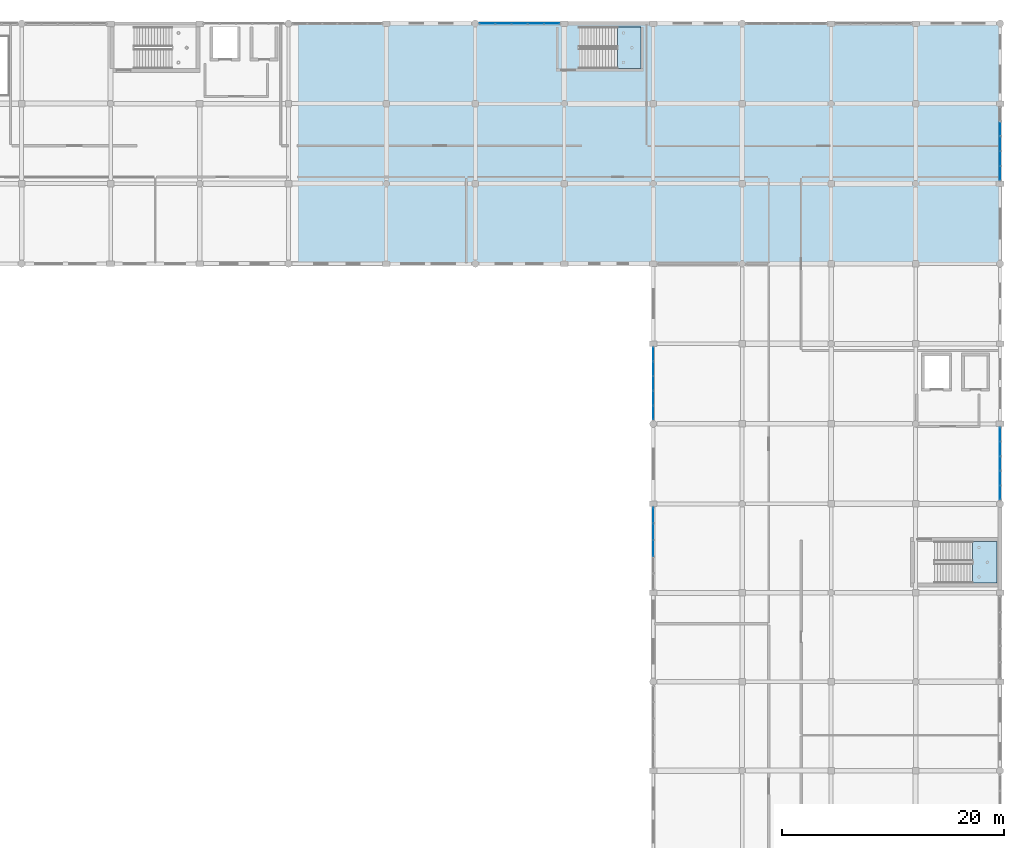
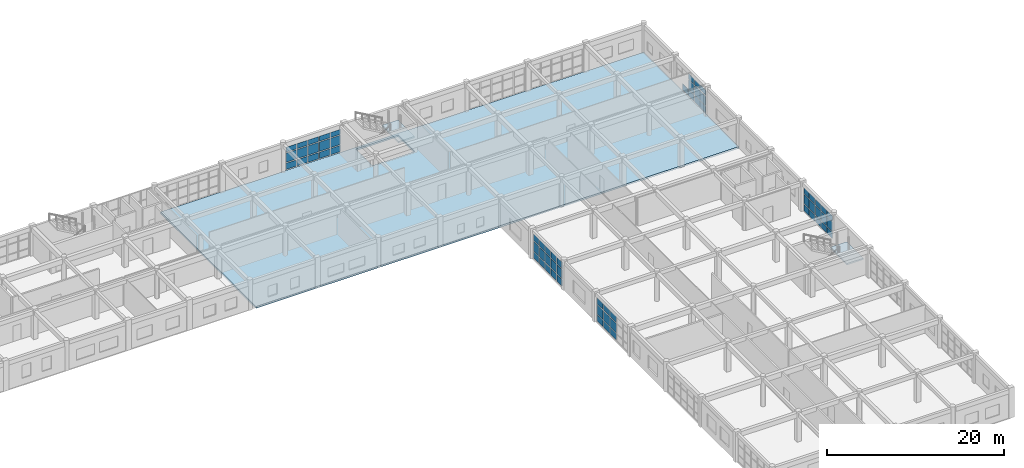
# One storey, part 38 of 53: 64 plates, 3 slabs, 7 elements without a shape of their own.
"""IFC4 building model written with IfcOpenShell, lengths in metres."""

from ifc_helpers import new_model, si_unit, direction, frame, origin, origin_2d, place, context, subcontext, project, spatial, polyline, rectangle, outline, extrude, material, layer, layer_set, type_object, element, aggregate, save


model = new_model("IFC4")

# Units and contexts
model_context = context("Model", 3, precision=1e-05, world=origin(), true_north=direction((0.0, 1.0)))
body_context = subcontext(model_context, "Body", "Model", "MODEL_VIEW")
ifc_project = project(units=[si_unit("LENGTHUNIT", "METRE"), si_unit("AREAUNIT", "SQUARE_METRE"), si_unit("VOLUMEUNIT", "CUBIC_METRE"), si_unit("PLANEANGLEUNIT", "RADIAN"), si_unit("MASSUNIT", "GRAM", prefix="KILO")], contexts=[model_context])

# Site, building, storey
site_placement = place(None, origin())
site = spatial("IfcSite", under=ifc_project, at=site_placement, CompositionType="ELEMENT")
building_placement = place(site_placement, origin())
building = spatial("IfcBuilding", under=site, at=building_placement, Name="Kharva Crest Polytechnic", CompositionType="ELEMENT")
storey_placement = place(building_placement, frame((0.0, 0.0, 17.39990234375)))
storey = spatial("IfcBuildingStorey", under=building, at=storey_placement, Name="L04", CompositionType="ELEMENT", Elevation=17.39990234375)

# Curtain wall, plates
ifc_material_1 = material(Name="Tempered insulated glass", Category="glass")
curtain_wall_type = type_object("IfcCurtainWallType", Name="CW-SYS-STUDIO", PredefinedType="USERDEFINED", material=ifc_material_1)
curtain_wall_1_placement = place(storey_placement, origin())
curtain_wall_1 = element("IfcCurtainWall", 1, at=curtain_wall_1_placement, inside=storey, type_object=curtain_wall_type, Name="L04 Glazed Curtain Wall CW-172", ObjectType="CURTAIN WALL", PredefinedType="USERDEFINED")
ifc_layer_1 = layer(ifc_material_1, 0.02587890625, Name="Tempered insulated glass")
ifc_layer_set_1 = layer_set([ifc_layer_1], Name="Tempered insulated glass")
plate_type = type_object("IfcPlateType", Name="CWP-GLZ-26", PredefinedType="CURTAIN_PANEL", material=ifc_layer_set_1)
plate_1_placement = place(storey_placement, frame((184.0, 108.5439453125, 0.1201171875), z_axis=(0.0, 0.0, 1.0), x_axis=(0.0, 1.0, 0.0)))
plate_1 = element("IfcPlate", 2, at=plate_1_placement, type_object=plate_type, Name="CW-172 panel 1.1", PredefinedType="CURTAIN_PANEL", context=body_context, shape_type="SweptSolid", body=[
    extrude(rectangle(XDim=1.218017578125, YDim=0.02587890625, at=origin_2d()), origin(), (0.0, 0.0, 1.0), 0.8701171875),
])
plate_2_placement = place(storey_placement, frame((184.0, 108.5439453125, 1.10986328125), z_axis=(0.0, 0.0, 1.0), x_axis=(0.0, 1.0, 0.0)))
plate_2 = element("IfcPlate", 3, at=plate_2_placement, type_object=plate_type, Name="CW-172 panel 1.2", PredefinedType="CURTAIN_PANEL", context=body_context, shape_type="SweptSolid", body=[
    extrude(rectangle(XDim=1.218017578125, YDim=0.02587890625, at=origin_2d()), origin(), (0.0, 0.0, 1.0), 1.280029296875),
])
plate_3_placement = place(storey_placement, frame((184.0, 108.5439453125, 2.51025390625), z_axis=(0.0, 0.0, 1.0), x_axis=(0.0, 1.0, 0.0)))
plate_3 = element("IfcPlate", 4, at=plate_3_placement, type_object=plate_type, Name="CW-172 panel 1.3", PredefinedType="CURTAIN_PANEL", context=body_context, shape_type="SweptSolid", body=[
    extrude(rectangle(XDim=1.218017578125, YDim=0.02587890625, at=origin_2d()), origin(), (0.0, 0.0, 1.0), 0.719970703125),
])
plate_4_placement = place(storey_placement, frame((184.0, 109.862060546875, 0.1201171875), z_axis=(0.0, 0.0, 1.0), x_axis=(0.0, 1.0, 0.0)))
plate_4 = element("IfcPlate", 5, at=plate_4_placement, type_object=plate_type, Name="CW-172 panel 2.1", PredefinedType="CURTAIN_PANEL", context=body_context, shape_type="SweptSolid", body=[
    extrude(rectangle(XDim=1.258056640625, YDim=0.02587890625, at=origin_2d()), origin(), (0.0, 0.0, 1.0), 0.8701171875),
])
plate_5_placement = place(storey_placement, frame((184.0, 109.862060546875, 1.10986328125), z_axis=(0.0, 0.0, 1.0), x_axis=(0.0, 1.0, 0.0)))
plate_5 = element("IfcPlate", 6, at=plate_5_placement, type_object=plate_type, Name="CW-172 panel 2.2", PredefinedType="CURTAIN_PANEL", context=body_context, shape_type="SweptSolid", body=[
    extrude(rectangle(XDim=1.258056640625, YDim=0.02587890625, at=origin_2d()), origin(), (0.0, 0.0, 1.0), 1.280029296875),
])
plate_6_placement = place(storey_placement, frame((184.0, 109.862060546875, 2.51025390625), z_axis=(0.0, 0.0, 1.0), x_axis=(0.0, 1.0, 0.0)))
plate_6 = element("IfcPlate", 7, at=plate_6_placement, type_object=plate_type, Name="CW-172 panel 2.3", PredefinedType="CURTAIN_PANEL", context=body_context, shape_type="SweptSolid", body=[
    extrude(rectangle(XDim=1.258056640625, YDim=0.02587890625, at=origin_2d()), origin(), (0.0, 0.0, 1.0), 0.719970703125),
])
plate_7_placement = place(storey_placement, frame((184.0, 111.199951171875, 0.1201171875), z_axis=(0.0, 0.0, 1.0), x_axis=(0.0, 1.0, 0.0)))
plate_7 = element("IfcPlate", 8, at=plate_7_placement, type_object=plate_type, Name="CW-172 panel 3.1", PredefinedType="CURTAIN_PANEL", context=body_context, shape_type="SweptSolid", body=[
    extrude(rectangle(XDim=1.258056640625, YDim=0.02587890625, at=origin_2d()), origin(), (0.0, 0.0, 1.0), 0.8701171875),
])
plate_8_placement = place(storey_placement, frame((184.0, 111.199951171875, 1.10986328125), z_axis=(0.0, 0.0, 1.0), x_axis=(0.0, 1.0, 0.0)))
plate_8 = element("IfcPlate", 9, at=plate_8_placement, type_object=plate_type, Name="CW-172 panel 3.2", PredefinedType="CURTAIN_PANEL", context=body_context, shape_type="SweptSolid", body=[
    extrude(rectangle(XDim=1.258056640625, YDim=0.02587890625, at=origin_2d()), origin(), (0.0, 0.0, 1.0), 1.280029296875),
])
plate_9_placement = place(storey_placement, frame((184.0, 111.199951171875, 2.51025390625), z_axis=(0.0, 0.0, 1.0), x_axis=(0.0, 1.0, 0.0)))
plate_9 = element("IfcPlate", 10, at=plate_9_placement, type_object=plate_type, Name="CW-172 panel 3.3", PredefinedType="CURTAIN_PANEL", context=body_context, shape_type="SweptSolid", body=[
    extrude(rectangle(XDim=1.258056640625, YDim=0.02587890625, at=origin_2d()), origin(), (0.0, 0.0, 1.0), 0.719970703125),
])
plate_10_placement = place(storey_placement, frame((184.0, 112.5380859375, 0.1201171875), z_axis=(0.0, 0.0, 1.0), x_axis=(0.0, 1.0, 0.0)))
plate_10 = element("IfcPlate", 11, at=plate_10_placement, type_object=plate_type, Name="CW-172 panel 4.1", PredefinedType="CURTAIN_PANEL", context=body_context, shape_type="SweptSolid", body=[
    extrude(rectangle(XDim=1.258056640625, YDim=0.02587890625, at=origin_2d()), origin(), (0.0, 0.0, 1.0), 0.8701171875),
])
aggregate(curtain_wall_1, [plate_1, plate_2, plate_3, plate_4, plate_5, plate_6, plate_7, plate_8, plate_9, plate_10])

curtain_wall_2_placement = place(storey_placement, origin())
curtain_wall_2 = element("IfcCurtainWall", 12, at=curtain_wall_2_placement, inside=storey, type_object=curtain_wall_type, Name="L04 Glazed Curtain Wall CW-175", ObjectType="CURTAIN WALL", PredefinedType="USERDEFINED")
plate_11_placement = place(storey_placement, frame((143.693115234375, 122.0, 0.1201171875), z_axis=(0.0, 0.0, 1.0), x_axis=(-1.0, 0.0, 0.0)))
plate_11 = element("IfcPlate", 13, at=plate_11_placement, type_object=plate_type, Name="CW-175 panel 1.1", PredefinedType="CURTAIN_PANEL", context=body_context, shape_type="SweptSolid", body=[
    extrude(rectangle(XDim=1.343994140625, YDim=0.02587890625, at=origin_2d()), origin(), (0.0, 0.0, 1.0), 0.8701171875),
])
plate_12_placement = place(storey_placement, frame((143.693115234375, 122.0, 1.10986328125), z_axis=(0.0, 0.0, 1.0), x_axis=(-1.0, 0.0, 0.0)))
plate_12 = element("IfcPlate", 14, at=plate_12_placement, type_object=plate_type, Name="CW-175 panel 1.2", PredefinedType="CURTAIN_PANEL", context=body_context, shape_type="SweptSolid", body=[
    extrude(rectangle(XDim=1.343994140625, YDim=0.02587890625, at=origin_2d()), origin(), (0.0, 0.0, 1.0), 1.280029296875),
])
plate_13_placement = place(storey_placement, frame((143.693115234375, 122.0, 2.510009765625), z_axis=(0.0, 0.0, 1.0), x_axis=(-1.0, 0.0, 0.0)))
plate_13 = element("IfcPlate", 15, at=plate_13_placement, type_object=plate_type, Name="CW-175 panel 1.3", PredefinedType="CURTAIN_PANEL", context=body_context, shape_type="SweptSolid", body=[
    extrude(rectangle(XDim=1.343994140625, YDim=0.02587890625, at=origin_2d()), origin(), (0.0, 0.0, 1.0), 0.68994140625),
])
plate_14_placement = place(storey_placement, frame((142.2490234375, 122.0, 0.1201171875), z_axis=(0.0, 0.0, 1.0), x_axis=(-1.0, 0.0, 0.0)))
plate_14 = element("IfcPlate", 16, at=plate_14_placement, type_object=plate_type, Name="CW-175 panel 2.1", PredefinedType="CURTAIN_PANEL", context=body_context, shape_type="SweptSolid", body=[
    extrude(rectangle(XDim=1.384033203125, YDim=0.02587890625, at=origin_2d()), origin(), (0.0, 0.0, 1.0), 0.8701171875),
])
plate_15_placement = place(storey_placement, frame((142.2490234375, 122.0, 1.10986328125), z_axis=(0.0, 0.0, 1.0), x_axis=(-1.0, 0.0, 0.0)))
plate_15 = element("IfcPlate", 17, at=plate_15_placement, type_object=plate_type, Name="CW-175 panel 2.2", PredefinedType="CURTAIN_PANEL", context=body_context, shape_type="SweptSolid", body=[
    extrude(rectangle(XDim=1.384033203125, YDim=0.02587890625, at=origin_2d()), origin(), (0.0, 0.0, 1.0), 1.280029296875),
])
plate_16_placement = place(storey_placement, frame((142.2490234375, 122.0, 2.510009765625), z_axis=(0.0, 0.0, 1.0), x_axis=(-1.0, 0.0, 0.0)))
plate_16 = element("IfcPlate", 18, at=plate_16_placement, type_object=plate_type, Name="CW-175 panel 2.3", PredefinedType="CURTAIN_PANEL", context=body_context, shape_type="SweptSolid", body=[
    extrude(rectangle(XDim=1.384033203125, YDim=0.02587890625, at=origin_2d()), origin(), (0.0, 0.0, 1.0), 0.68994140625),
])
plate_17_placement = place(storey_placement, frame((140.784912109375, 122.0, 0.1201171875), z_axis=(0.0, 0.0, 1.0), x_axis=(-1.0, 0.0, 0.0)))
plate_17 = element("IfcPlate", 19, at=plate_17_placement, type_object=plate_type, Name="CW-175 panel 3.1", PredefinedType="CURTAIN_PANEL", context=body_context, shape_type="SweptSolid", body=[
    extrude(rectangle(XDim=1.384033203125, YDim=0.02587890625, at=origin_2d()), origin(), (0.0, 0.0, 1.0), 0.8701171875),
])
plate_18_placement = place(storey_placement, frame((140.784912109375, 122.0, 1.10986328125), z_axis=(0.0, 0.0, 1.0), x_axis=(-1.0, 0.0, 0.0)))
plate_18 = element("IfcPlate", 20, at=plate_18_placement, type_object=plate_type, Name="CW-175 panel 3.2", PredefinedType="CURTAIN_PANEL", context=body_context, shape_type="SweptSolid", body=[
    extrude(rectangle(XDim=1.384033203125, YDim=0.02587890625, at=origin_2d()), origin(), (0.0, 0.0, 1.0), 1.280029296875),
])
plate_19_placement = place(storey_placement, frame((140.784912109375, 122.0, 2.510009765625), z_axis=(0.0, 0.0, 1.0), x_axis=(-1.0, 0.0, 0.0)))
plate_19 = element("IfcPlate", 21, at=plate_19_placement, type_object=plate_type, Name="CW-175 panel 3.3", PredefinedType="CURTAIN_PANEL", context=body_context, shape_type="SweptSolid", body=[
    extrude(rectangle(XDim=1.384033203125, YDim=0.02587890625, at=origin_2d()), origin(), (0.0, 0.0, 1.0), 0.68994140625),
])
plate_20_placement = place(storey_placement, frame((139.321044921875, 122.0, 0.1201171875), z_axis=(0.0, 0.0, 1.0), x_axis=(-1.0, 0.0, 0.0)))
plate_20 = element("IfcPlate", 22, at=plate_20_placement, type_object=plate_type, Name="CW-175 panel 4.1", PredefinedType="CURTAIN_PANEL", context=body_context, shape_type="SweptSolid", body=[
    extrude(rectangle(XDim=1.384033203125, YDim=0.02587890625, at=origin_2d()), origin(), (0.0, 0.0, 1.0), 0.8701171875),
])
plate_21_placement = place(storey_placement, frame((139.321044921875, 122.0, 1.10986328125), z_axis=(0.0, 0.0, 1.0), x_axis=(-1.0, 0.0, 0.0)))
plate_21 = element("IfcPlate", 23, at=plate_21_placement, type_object=plate_type, Name="CW-175 panel 4.2", PredefinedType="CURTAIN_PANEL", context=body_context, shape_type="SweptSolid", body=[
    extrude(rectangle(XDim=1.384033203125, YDim=0.02587890625, at=origin_2d()), origin(), (0.0, 0.0, 1.0), 1.280029296875),
])
plate_22_placement = place(storey_placement, frame((139.321044921875, 122.0, 2.510009765625), z_axis=(0.0, 0.0, 1.0), x_axis=(-1.0, 0.0, 0.0)))
plate_22 = element("IfcPlate", 24, at=plate_22_placement, type_object=plate_type, Name="CW-175 panel 4.3", PredefinedType="CURTAIN_PANEL", context=body_context, shape_type="SweptSolid", body=[
    extrude(rectangle(XDim=1.384033203125, YDim=0.02587890625, at=origin_2d()), origin(), (0.0, 0.0, 1.0), 0.68994140625),
])
plate_23_placement = place(storey_placement, frame((137.876953125, 122.0, 0.1201171875), z_axis=(0.0, 0.0, 1.0), x_axis=(-1.0, 0.0, 0.0)))
plate_23 = element("IfcPlate", 25, at=plate_23_placement, type_object=plate_type, Name="CW-175 panel 5.1", PredefinedType="CURTAIN_PANEL", context=body_context, shape_type="SweptSolid", body=[
    extrude(rectangle(XDim=1.343994140625, YDim=0.02587890625, at=origin_2d()), origin(), (0.0, 0.0, 1.0), 0.8701171875),
])
plate_24_placement = place(storey_placement, frame((137.876953125, 122.0, 1.10986328125), z_axis=(0.0, 0.0, 1.0), x_axis=(-1.0, 0.0, 0.0)))
plate_24 = element("IfcPlate", 26, at=plate_24_placement, type_object=plate_type, Name="CW-175 panel 5.2", PredefinedType="CURTAIN_PANEL", context=body_context, shape_type="SweptSolid", body=[
    extrude(rectangle(XDim=1.343994140625, YDim=0.02587890625, at=origin_2d()), origin(), (0.0, 0.0, 1.0), 1.280029296875),
])
plate_25_placement = place(storey_placement, frame((137.876953125, 122.0, 2.510009765625), z_axis=(0.0, 0.0, 1.0), x_axis=(-1.0, 0.0, 0.0)))
plate_25 = element("IfcPlate", 27, at=plate_25_placement, type_object=plate_type, Name="CW-175 panel 5.3", PredefinedType="CURTAIN_PANEL", context=body_context, shape_type="SweptSolid", body=[
    extrude(rectangle(XDim=1.343994140625, YDim=0.02587890625, at=origin_2d()), origin(), (0.0, 0.0, 1.0), 0.68994140625),
])
aggregate(curtain_wall_2, [plate_11, plate_12, plate_13, plate_14, plate_15, plate_16, plate_17, plate_18, plate_19, plate_20, plate_21, plate_22, plate_23, plate_24, plate_25])

curtain_wall_3_placement = place(storey_placement, origin())
curtain_wall_3 = element("IfcCurtainWall", 28, at=curtain_wall_3_placement, inside=storey, type_object=curtain_wall_type, Name="L04 Glazed Curtain Wall CW-182", ObjectType="CURTAIN WALL", PredefinedType="USERDEFINED")
plate_26_placement = place(storey_placement, frame((152.800048828125, 92.262939453125, 0.1201171875), z_axis=(0.0, 0.0, 1.0), x_axis=(0.0, -1.0, 0.0)))
plate_26 = element("IfcPlate", 29, at=plate_26_placement, type_object=plate_type, Name="CW-182 panel 1.1", PredefinedType="CURTAIN_PANEL", context=body_context, shape_type="SweptSolid", body=[
    extrude(rectangle(XDim=1.2041015625, YDim=0.02587890625, at=origin_2d()), origin(), (0.0, 0.0, 1.0), 0.8701171875),
])
plate_27_placement = place(storey_placement, frame((152.800048828125, 92.262939453125, 1.10986328125), z_axis=(0.0, 0.0, 1.0), x_axis=(0.0, -1.0, 0.0)))
plate_27 = element("IfcPlate", 30, at=plate_27_placement, type_object=plate_type, Name="CW-182 panel 1.2", PredefinedType="CURTAIN_PANEL", context=body_context, shape_type="SweptSolid", body=[
    extrude(rectangle(XDim=1.2041015625, YDim=0.02587890625, at=origin_2d()), origin(), (0.0, 0.0, 1.0), 1.280029296875),
])
plate_28_placement = place(storey_placement, frame((152.800048828125, 92.262939453125, 2.51025390625), z_axis=(0.0, 0.0, 1.0), x_axis=(0.0, -1.0, 0.0)))
plate_28 = element("IfcPlate", 31, at=plate_28_placement, type_object=plate_type, Name="CW-182 panel 1.3", PredefinedType="CURTAIN_PANEL", context=body_context, shape_type="SweptSolid", body=[
    extrude(rectangle(XDim=1.2041015625, YDim=0.02587890625, at=origin_2d()), origin(), (0.0, 0.0, 1.0), 0.89990234375),
])
plate_29_placement = place(storey_placement, frame((152.800048828125, 90.958984375, 0.1201171875), z_axis=(0.0, 0.0, 1.0), x_axis=(0.0, -1.0, 0.0)))
plate_29 = element("IfcPlate", 32, at=plate_29_placement, type_object=plate_type, Name="CW-182 panel 2.1", PredefinedType="CURTAIN_PANEL", context=body_context, shape_type="SweptSolid", body=[
    extrude(rectangle(XDim=1.243896484375, YDim=0.02587890625, at=origin_2d()), origin(), (0.0, 0.0, 1.0), 0.8701171875),
])
plate_30_placement = place(storey_placement, frame((152.800048828125, 90.958984375, 1.10986328125), z_axis=(0.0, 0.0, 1.0), x_axis=(0.0, -1.0, 0.0)))
plate_30 = element("IfcPlate", 33, at=plate_30_placement, type_object=plate_type, Name="CW-182 panel 2.2", PredefinedType="CURTAIN_PANEL", context=body_context, shape_type="SweptSolid", body=[
    extrude(rectangle(XDim=1.243896484375, YDim=0.02587890625, at=origin_2d()), origin(), (0.0, 0.0, 1.0), 1.280029296875),
])
plate_31_placement = place(storey_placement, frame((152.800048828125, 90.958984375, 2.51025390625), z_axis=(0.0, 0.0, 1.0), x_axis=(0.0, -1.0, 0.0)))
plate_31 = element("IfcPlate", 34, at=plate_31_placement, type_object=plate_type, Name="CW-182 panel 2.3", PredefinedType="CURTAIN_PANEL", context=body_context, shape_type="SweptSolid", body=[
    extrude(rectangle(XDim=1.243896484375, YDim=0.02587890625, at=origin_2d()), origin(), (0.0, 0.0, 1.0), 0.89990234375),
])
plate_32_placement = place(storey_placement, frame((152.800048828125, 89.635009765625, 0.1201171875), z_axis=(0.0, 0.0, 1.0), x_axis=(0.0, -1.0, 0.0)))
plate_32 = element("IfcPlate", 35, at=plate_32_placement, type_object=plate_type, Name="CW-182 panel 3.1", PredefinedType="CURTAIN_PANEL", context=body_context, shape_type="SweptSolid", body=[
    extrude(rectangle(XDim=1.243896484375, YDim=0.02587890625, at=origin_2d()), origin(), (0.0, 0.0, 1.0), 0.8701171875),
])
plate_33_placement = place(storey_placement, frame((152.800048828125, 89.635009765625, 1.10986328125), z_axis=(0.0, 0.0, 1.0), x_axis=(0.0, -1.0, 0.0)))
plate_33 = element("IfcPlate", 36, at=plate_33_placement, type_object=plate_type, Name="CW-182 panel 3.2", PredefinedType="CURTAIN_PANEL", context=body_context, shape_type="SweptSolid", body=[
    extrude(rectangle(XDim=1.243896484375, YDim=0.02587890625, at=origin_2d()), origin(), (0.0, 0.0, 1.0), 1.280029296875),
])
plate_34_placement = place(storey_placement, frame((152.800048828125, 89.635009765625, 2.51025390625), z_axis=(0.0, 0.0, 1.0), x_axis=(0.0, -1.0, 0.0)))
plate_34 = element("IfcPlate", 37, at=plate_34_placement, type_object=plate_type, Name="CW-182 panel 3.3", PredefinedType="CURTAIN_PANEL", context=body_context, shape_type="SweptSolid", body=[
    extrude(rectangle(XDim=1.243896484375, YDim=0.02587890625, at=origin_2d()), origin(), (0.0, 0.0, 1.0), 0.89990234375),
])
plate_35_placement = place(storey_placement, frame((152.800048828125, 88.31103515625, 0.1201171875), z_axis=(0.0, 0.0, 1.0), x_axis=(0.0, -1.0, 0.0)))
plate_35 = element("IfcPlate", 38, at=plate_35_placement, type_object=plate_type, Name="CW-182 panel 4.1", PredefinedType="CURTAIN_PANEL", context=body_context, shape_type="SweptSolid", body=[
    extrude(rectangle(XDim=1.243896484375, YDim=0.02587890625, at=origin_2d()), origin(), (0.0, 0.0, 1.0), 0.8701171875),
])
plate_36_placement = place(storey_placement, frame((152.800048828125, 88.31103515625, 1.10986328125), z_axis=(0.0, 0.0, 1.0), x_axis=(0.0, -1.0, 0.0)))
plate_36 = element("IfcPlate", 39, at=plate_36_placement, type_object=plate_type, Name="CW-182 panel 4.2", PredefinedType="CURTAIN_PANEL", context=body_context, shape_type="SweptSolid", body=[
    extrude(rectangle(XDim=1.243896484375, YDim=0.02587890625, at=origin_2d()), origin(), (0.0, 0.0, 1.0), 1.280029296875),
])
plate_37_placement = place(storey_placement, frame((152.800048828125, 88.31103515625, 2.51025390625), z_axis=(0.0, 0.0, 1.0), x_axis=(0.0, -1.0, 0.0)))
plate_37 = element("IfcPlate", 40, at=plate_37_placement, type_object=plate_type, Name="CW-182 panel 4.3", PredefinedType="CURTAIN_PANEL", context=body_context, shape_type="SweptSolid", body=[
    extrude(rectangle(XDim=1.243896484375, YDim=0.02587890625, at=origin_2d()), origin(), (0.0, 0.0, 1.0), 0.89990234375),
])
plate_38_placement = place(storey_placement, frame((152.800048828125, 87.007080078125, 0.1201171875), z_axis=(0.0, 0.0, 1.0), x_axis=(0.0, -1.0, 0.0)))
plate_38 = element("IfcPlate", 41, at=plate_38_placement, type_object=plate_type, Name="CW-182 panel 5.1", PredefinedType="CURTAIN_PANEL", context=body_context, shape_type="SweptSolid", body=[
    extrude(rectangle(XDim=1.2041015625, YDim=0.02587890625, at=origin_2d()), origin(), (0.0, 0.0, 1.0), 0.8701171875),
])
plate_39_placement = place(storey_placement, frame((152.800048828125, 87.007080078125, 1.10986328125), z_axis=(0.0, 0.0, 1.0), x_axis=(0.0, -1.0, 0.0)))
plate_39 = element("IfcPlate", 42, at=plate_39_placement, type_object=plate_type, Name="CW-182 panel 5.2", PredefinedType="CURTAIN_PANEL", context=body_context, shape_type="SweptSolid", body=[
    extrude(rectangle(XDim=1.2041015625, YDim=0.02587890625, at=origin_2d()), origin(), (0.0, 0.0, 1.0), 1.280029296875),
])
plate_40_placement = place(storey_placement, frame((152.800048828125, 87.007080078125, 2.51025390625), z_axis=(0.0, 0.0, 1.0), x_axis=(0.0, -1.0, 0.0)))
plate_40 = element("IfcPlate", 43, at=plate_40_placement, type_object=plate_type, Name="CW-182 panel 5.3", PredefinedType="CURTAIN_PANEL", context=body_context, shape_type="SweptSolid", body=[
    extrude(rectangle(XDim=1.2041015625, YDim=0.02587890625, at=origin_2d()), origin(), (0.0, 0.0, 1.0), 0.89990234375),
])
aggregate(curtain_wall_3, [plate_26, plate_27, plate_28, plate_29, plate_30, plate_31, plate_32, plate_33, plate_34, plate_35, plate_36, plate_37, plate_38, plate_39, plate_40])

curtain_wall_4_placement = place(storey_placement, origin())
curtain_wall_4 = element("IfcCurtainWall", 44, at=curtain_wall_4_placement, inside=storey, type_object=curtain_wall_type, Name="L04 Glazed Curtain Wall CW-183", ObjectType="CURTAIN WALL", PredefinedType="USERDEFINED")
plate_41_placement = place(storey_placement, frame((152.800048828125, 77.77587890625, 0.1201171875), z_axis=(0.0, 0.0, 1.0), x_axis=(0.0, -1.0, 0.0)))
plate_41 = element("IfcPlate", 45, at=plate_41_placement, type_object=plate_type, Name="CW-183 panel 1.1", PredefinedType="CURTAIN_PANEL", context=body_context, shape_type="SweptSolid", body=[
    extrude(rectangle(XDim=1.3779296875, YDim=0.02587890625, at=origin_2d()), origin(), (0.0, 0.0, 1.0), 0.8701171875),
])
plate_42_placement = place(storey_placement, frame((152.800048828125, 77.77587890625, 1.10986328125), z_axis=(0.0, 0.0, 1.0), x_axis=(0.0, -1.0, 0.0)))
plate_42 = element("IfcPlate", 46, at=plate_42_placement, type_object=plate_type, Name="CW-183 panel 1.2", PredefinedType="CURTAIN_PANEL", context=body_context, shape_type="SweptSolid", body=[
    extrude(rectangle(XDim=1.3779296875, YDim=0.02587890625, at=origin_2d()), origin(), (0.0, 0.0, 1.0), 1.280029296875),
])
plate_43_placement = place(storey_placement, frame((152.800048828125, 77.77587890625, 2.51025390625), z_axis=(0.0, 0.0, 1.0), x_axis=(0.0, -1.0, 0.0)))
plate_43 = element("IfcPlate", 47, at=plate_43_placement, type_object=plate_type, Name="CW-183 panel 1.3", PredefinedType="CURTAIN_PANEL", context=body_context, shape_type="SweptSolid", body=[
    extrude(rectangle(XDim=1.3779296875, YDim=0.02587890625, at=origin_2d()), origin(), (0.0, 0.0, 1.0), 0.820068359375),
])
plate_44_placement = place(storey_placement, frame((152.800048828125, 76.298095703125, 0.1201171875), z_axis=(0.0, 0.0, 1.0), x_axis=(0.0, -1.0, 0.0)))
plate_44 = element("IfcPlate", 48, at=plate_44_placement, type_object=plate_type, Name="CW-183 panel 2.1", PredefinedType="CURTAIN_PANEL", context=body_context, shape_type="SweptSolid", body=[
    extrude(rectangle(XDim=1.41796875, YDim=0.02587890625, at=origin_2d()), origin(), (0.0, 0.0, 1.0), 0.8701171875),
])
plate_45_placement = place(storey_placement, frame((152.800048828125, 76.298095703125, 1.10986328125), z_axis=(0.0, 0.0, 1.0), x_axis=(0.0, -1.0, 0.0)))
plate_45 = element("IfcPlate", 49, at=plate_45_placement, type_object=plate_type, Name="CW-183 panel 2.2", PredefinedType="CURTAIN_PANEL", context=body_context, shape_type="SweptSolid", body=[
    extrude(rectangle(XDim=1.41796875, YDim=0.02587890625, at=origin_2d()), origin(), (0.0, 0.0, 1.0), 1.280029296875),
])
plate_46_placement = place(storey_placement, frame((152.800048828125, 76.298095703125, 2.51025390625), z_axis=(0.0, 0.0, 1.0), x_axis=(0.0, -1.0, 0.0)))
plate_46 = element("IfcPlate", 50, at=plate_46_placement, type_object=plate_type, Name="CW-183 panel 2.3", PredefinedType="CURTAIN_PANEL", context=body_context, shape_type="SweptSolid", body=[
    extrude(rectangle(XDim=1.41796875, YDim=0.02587890625, at=origin_2d()), origin(), (0.0, 0.0, 1.0), 0.820068359375),
])
plate_47_placement = place(storey_placement, frame((152.800048828125, 74.800048828125, 0.1201171875), z_axis=(0.0, 0.0, 1.0), x_axis=(0.0, -1.0, 0.0)))
plate_47 = element("IfcPlate", 51, at=plate_47_placement, type_object=plate_type, Name="CW-183 panel 3.1", PredefinedType="CURTAIN_PANEL", context=body_context, shape_type="SweptSolid", body=[
    extrude(rectangle(XDim=1.41796875, YDim=0.02587890625, at=origin_2d()), origin(), (0.0, 0.0, 1.0), 0.8701171875),
])
plate_48_placement = place(storey_placement, frame((152.800048828125, 74.800048828125, 1.10986328125), z_axis=(0.0, 0.0, 1.0), x_axis=(0.0, -1.0, 0.0)))
plate_48 = element("IfcPlate", 52, at=plate_48_placement, type_object=plate_type, Name="CW-183 panel 3.2", PredefinedType="CURTAIN_PANEL", context=body_context, shape_type="SweptSolid", body=[
    extrude(rectangle(XDim=1.41796875, YDim=0.02587890625, at=origin_2d()), origin(), (0.0, 0.0, 1.0), 1.280029296875),
])
plate_49_placement = place(storey_placement, frame((152.800048828125, 74.800048828125, 2.51025390625), z_axis=(0.0, 0.0, 1.0), x_axis=(0.0, -1.0, 0.0)))
plate_49 = element("IfcPlate", 53, at=plate_49_placement, type_object=plate_type, Name="CW-183 panel 3.3", PredefinedType="CURTAIN_PANEL", context=body_context, shape_type="SweptSolid", body=[
    extrude(rectangle(XDim=1.41796875, YDim=0.02587890625, at=origin_2d()), origin(), (0.0, 0.0, 1.0), 0.820068359375),
])
aggregate(curtain_wall_4, [plate_41, plate_42, plate_43, plate_44, plate_45, plate_46, plate_47, plate_48, plate_49])

curtain_wall_5_placement = place(storey_placement, origin())
curtain_wall_5 = element("IfcCurtainWall", 54, at=curtain_wall_5_placement, inside=storey, type_object=curtain_wall_type, Name="L04 Glazed Curtain Wall CW-188", ObjectType="CURTAIN WALL", PredefinedType="USERDEFINED")
plate_50_placement = place(storey_placement, frame((184.0, 79.806884765625, 0.1201171875), z_axis=(0.0, 0.0, 1.0), x_axis=(0.0, 1.0, 0.0)))
plate_50 = element("IfcPlate", 55, at=plate_50_placement, type_object=plate_type, Name="CW-188 panel 1.1", PredefinedType="CURTAIN_PANEL", context=body_context, shape_type="SweptSolid", body=[
    extrude(rectangle(XDim=1.2041015625, YDim=0.02587890625, at=origin_2d()), origin(), (0.0, 0.0, 1.0), 0.8701171875),
])
plate_51_placement = place(storey_placement, frame((184.0, 79.806884765625, 1.10986328125), z_axis=(0.0, 0.0, 1.0), x_axis=(0.0, 1.0, 0.0)))
plate_51 = element("IfcPlate", 56, at=plate_51_placement, type_object=plate_type, Name="CW-188 panel 1.2", PredefinedType="CURTAIN_PANEL", context=body_context, shape_type="SweptSolid", body=[
    extrude(rectangle(XDim=1.2041015625, YDim=0.02587890625, at=origin_2d()), origin(), (0.0, 0.0, 1.0), 1.280029296875),
])
plate_52_placement = place(storey_placement, frame((184.0, 79.806884765625, 2.51025390625), z_axis=(0.0, 0.0, 1.0), x_axis=(0.0, 1.0, 0.0)))
plate_52 = element("IfcPlate", 57, at=plate_52_placement, type_object=plate_type, Name="CW-188 panel 1.3", PredefinedType="CURTAIN_PANEL", context=body_context, shape_type="SweptSolid", body=[
    extrude(rectangle(XDim=1.2041015625, YDim=0.02587890625, at=origin_2d()), origin(), (0.0, 0.0, 1.0), 0.760009765625),
])
plate_53_placement = place(storey_placement, frame((184.0, 81.111083984375, 0.1201171875), z_axis=(0.0, 0.0, 1.0), x_axis=(0.0, 1.0, 0.0)))
plate_53 = element("IfcPlate", 58, at=plate_53_placement, type_object=plate_type, Name="CW-188 panel 2.1", PredefinedType="CURTAIN_PANEL", context=body_context, shape_type="SweptSolid", body=[
    extrude(rectangle(XDim=1.243896484375, YDim=0.02587890625, at=origin_2d()), origin(), (0.0, 0.0, 1.0), 0.8701171875),
])
plate_54_placement = place(storey_placement, frame((184.0, 81.111083984375, 1.10986328125), z_axis=(0.0, 0.0, 1.0), x_axis=(0.0, 1.0, 0.0)))
plate_54 = element("IfcPlate", 59, at=plate_54_placement, type_object=plate_type, Name="CW-188 panel 2.2", PredefinedType="CURTAIN_PANEL", context=body_context, shape_type="SweptSolid", body=[
    extrude(rectangle(XDim=1.243896484375, YDim=0.02587890625, at=origin_2d()), origin(), (0.0, 0.0, 1.0), 1.280029296875),
])
plate_55_placement = place(storey_placement, frame((184.0, 81.111083984375, 2.51025390625), z_axis=(0.0, 0.0, 1.0), x_axis=(0.0, 1.0, 0.0)))
plate_55 = element("IfcPlate", 60, at=plate_55_placement, type_object=plate_type, Name="CW-188 panel 2.3", PredefinedType="CURTAIN_PANEL", context=body_context, shape_type="SweptSolid", body=[
    extrude(rectangle(XDim=1.243896484375, YDim=0.02587890625, at=origin_2d()), origin(), (0.0, 0.0, 1.0), 0.760009765625),
])
plate_56_placement = place(storey_placement, frame((184.0, 82.43505859375, 0.1201171875), z_axis=(0.0, 0.0, 1.0), x_axis=(0.0, 1.0, 0.0)))
plate_56 = element("IfcPlate", 61, at=plate_56_placement, type_object=plate_type, Name="CW-188 panel 3.1", PredefinedType="CURTAIN_PANEL", context=body_context, shape_type="SweptSolid", body=[
    extrude(rectangle(XDim=1.243896484375, YDim=0.02587890625, at=origin_2d()), origin(), (0.0, 0.0, 1.0), 0.8701171875),
])
plate_57_placement = place(storey_placement, frame((184.0, 82.43505859375, 1.10986328125), z_axis=(0.0, 0.0, 1.0), x_axis=(0.0, 1.0, 0.0)))
plate_57 = element("IfcPlate", 62, at=plate_57_placement, type_object=plate_type, Name="CW-188 panel 3.2", PredefinedType="CURTAIN_PANEL", context=body_context, shape_type="SweptSolid", body=[
    extrude(rectangle(XDim=1.243896484375, YDim=0.02587890625, at=origin_2d()), origin(), (0.0, 0.0, 1.0), 1.280029296875),
])
plate_58_placement = place(storey_placement, frame((184.0, 82.43505859375, 2.51025390625), z_axis=(0.0, 0.0, 1.0), x_axis=(0.0, 1.0, 0.0)))
plate_58 = element("IfcPlate", 63, at=plate_58_placement, type_object=plate_type, Name="CW-188 panel 3.3", PredefinedType="CURTAIN_PANEL", context=body_context, shape_type="SweptSolid", body=[
    extrude(rectangle(XDim=1.243896484375, YDim=0.02587890625, at=origin_2d()), origin(), (0.0, 0.0, 1.0), 0.760009765625),
])
plate_59_placement = place(storey_placement, frame((184.0, 83.759033203125, 0.1201171875), z_axis=(0.0, 0.0, 1.0), x_axis=(0.0, 1.0, 0.0)))
plate_59 = element("IfcPlate", 64, at=plate_59_placement, type_object=plate_type, Name="CW-188 panel 4.1", PredefinedType="CURTAIN_PANEL", context=body_context, shape_type="SweptSolid", body=[
    extrude(rectangle(XDim=1.243896484375, YDim=0.02587890625, at=origin_2d()), origin(), (0.0, 0.0, 1.0), 0.8701171875),
])
plate_60_placement = place(storey_placement, frame((184.0, 83.759033203125, 1.10986328125), z_axis=(0.0, 0.0, 1.0), x_axis=(0.0, 1.0, 0.0)))
plate_60 = element("IfcPlate", 65, at=plate_60_placement, type_object=plate_type, Name="CW-188 panel 4.2", PredefinedType="CURTAIN_PANEL", context=body_context, shape_type="SweptSolid", body=[
    extrude(rectangle(XDim=1.243896484375, YDim=0.02587890625, at=origin_2d()), origin(), (0.0, 0.0, 1.0), 1.280029296875),
])
plate_61_placement = place(storey_placement, frame((184.0, 83.759033203125, 2.51025390625), z_axis=(0.0, 0.0, 1.0), x_axis=(0.0, 1.0, 0.0)))
plate_61 = element("IfcPlate", 66, at=plate_61_placement, type_object=plate_type, Name="CW-188 panel 4.3", PredefinedType="CURTAIN_PANEL", context=body_context, shape_type="SweptSolid", body=[
    extrude(rectangle(XDim=1.243896484375, YDim=0.02587890625, at=origin_2d()), origin(), (0.0, 0.0, 1.0), 0.760009765625),
])
plate_62_placement = place(storey_placement, frame((184.0, 85.06298828125, 0.1201171875), z_axis=(0.0, 0.0, 1.0), x_axis=(0.0, 1.0, 0.0)))
plate_62 = element("IfcPlate", 67, at=plate_62_placement, type_object=plate_type, Name="CW-188 panel 5.1", PredefinedType="CURTAIN_PANEL", context=body_context, shape_type="SweptSolid", body=[
    extrude(rectangle(XDim=1.2041015625, YDim=0.02587890625, at=origin_2d()), origin(), (0.0, 0.0, 1.0), 0.8701171875),
])
plate_63_placement = place(storey_placement, frame((184.0, 85.06298828125, 1.10986328125), z_axis=(0.0, 0.0, 1.0), x_axis=(0.0, 1.0, 0.0)))
plate_63 = element("IfcPlate", 68, at=plate_63_placement, type_object=plate_type, Name="CW-188 panel 5.2", PredefinedType="CURTAIN_PANEL", context=body_context, shape_type="SweptSolid", body=[
    extrude(rectangle(XDim=1.2041015625, YDim=0.02587890625, at=origin_2d()), origin(), (0.0, 0.0, 1.0), 1.280029296875),
])
plate_64_placement = place(storey_placement, frame((184.0, 85.06298828125, 2.51025390625), z_axis=(0.0, 0.0, 1.0), x_axis=(0.0, 1.0, 0.0)))
plate_64 = element("IfcPlate", 69, at=plate_64_placement, type_object=plate_type, Name="CW-188 panel 5.3", PredefinedType="CURTAIN_PANEL", context=body_context, shape_type="SweptSolid", body=[
    extrude(rectangle(XDim=1.2041015625, YDim=0.02587890625, at=origin_2d()), origin(), (0.0, 0.0, 1.0), 0.760009765625),
])
aggregate(curtain_wall_5, [plate_50, plate_51, plate_52, plate_53, plate_54, plate_55, plate_56, plate_57, plate_58, plate_59, plate_60, plate_61, plate_62, plate_63, plate_64])

# Slab
ifc_material_2 = material(Name="Concrete C35/45", Category="concrete")
ifc_layer_2 = layer(ifc_material_2, 0.239990234375, Name="Concrete C35/45")
ifc_layer_set_2 = layer_set([ifc_layer_2], Name="Concrete C35/45")
slab_type_1 = type_object("IfcSlabType", Name="SLB-FLR-240", PredefinedType="FLOOR", material=ifc_layer_set_2)
slab_1_placement = place(storey_placement, frame((0.0, 0.0, -0.239990234375)))
element("IfcSlab", 70, at=slab_1_placement, inside=storey, type_object=slab_type_1, Name="L04 Structural Slab N_STUDIO-E", PredefinedType="FLOOR", context=body_context, shape_type="SweptSolid", body=[
    extrude(outline(polyline([(120.800048828125, 100.39990234375), (184.0, 100.39990234375), (184.0, 122.0), (120.800048828125, 122.0), (120.800048828125, 100.39990234375)]), holes=[polyline([(146.169921875, 117.93994140625), (151.699951171875, 117.93994140625), (151.699951171875, 121.699951171875), (146.169921875, 121.699951171875), (146.169921875, 117.93994140625)])]), origin(), (0.0, 0.0, 1.0), 0.239990234375),
])

# Stair, slab
stair_type_1 = type_object("IfcStairType", Name="STR-DOGLEG-1780", PredefinedType="TWO_STRAIGHT_RUN_STAIR", material=ifc_material_2)
stair_1_placement = place(storey_placement, origin())
stair_1 = element("IfcStair", 71, at=stair_1_placement, inside=storey, type_object=stair_type_1, Name="L04 East Crest Firefighting Core C5", PredefinedType="TWO_STRAIGHT_RUN_STAIR")
ifc_layer_3 = layer(ifc_material_2, 0.199951171875, Name="Concrete C35/45")
ifc_layer_set_3 = layer_set([ifc_layer_3], Name="Concrete C35/45")
slab_type_2 = type_object("IfcSlabType", Name="SLB-LAND-200", PredefinedType="LANDING", material=ifc_layer_set_3)
slab_2_placement = place(storey_placement, frame((0.0, 0.0, 1.900146484375)))
slab_2 = element("IfcSlab", 72, at=slab_2_placement, type_object=slab_type_2, Name="ST-05 landing 1", PredefinedType="LANDING", context=body_context, shape_type="SweptSolid", body=[
    extrude(outline(polyline([(181.534912109375, 71.669921875), (183.699951171875, 71.669921875), (183.699951171875, 75.429931640625), (181.534912109375, 75.429931640625), (181.534912109375, 71.669921875)])), origin(), (0.0, 0.0, 1.0), 0.199951171875),
])
aggregate(stair_1, [slab_2])

stair_type_2 = type_object("IfcStairType", Name="STR-DOGLEG-1820", PredefinedType="TWO_STRAIGHT_RUN_STAIR", material=ifc_material_2)
stair_2_placement = place(storey_placement, origin())
stair_2 = element("IfcStair", 73, at=stair_2_placement, inside=storey, type_object=stair_type_2, Name="L04 North-East Library Wing Stair C9", PredefinedType="TWO_STRAIGHT_RUN_STAIR")
slab_3_placement = place(storey_placement, frame((0.0, 0.0, 1.900146484375)))
slab_3 = element("IfcSlab", 74, at=slab_3_placement, type_object=slab_type_2, Name="ST-09 landing 1", PredefinedType="LANDING", context=body_context, shape_type="SweptSolid", body=[
    extrude(outline(polyline([(149.574951171875, 117.93994140625), (151.699951171875, 117.93994140625), (151.699951171875, 121.699951171875), (149.574951171875, 121.699951171875), (149.574951171875, 117.93994140625)])), origin(), (0.0, 0.0, 1.0), 0.199951171875),
])
aggregate(stair_2, [slab_3])

save(model, "model.ifc")
